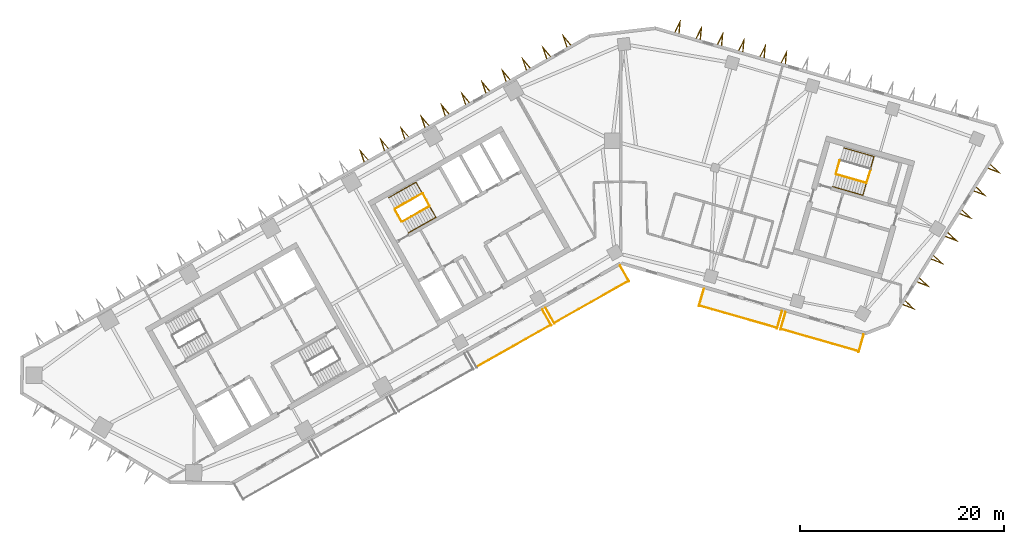
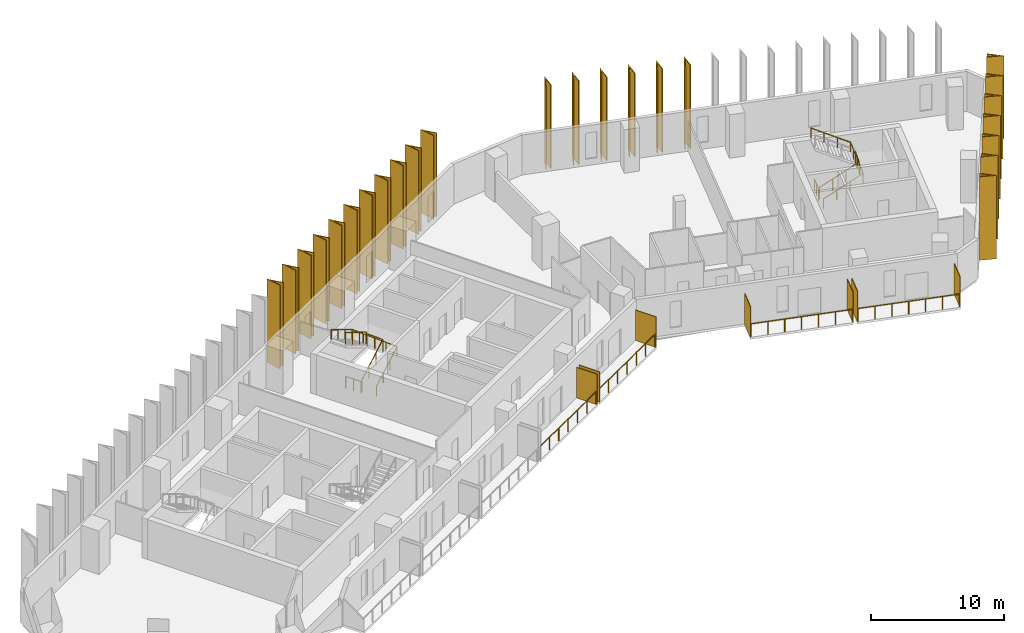
# One storey, part 9 of 10: 31 shading devices, 11 railings.
"""IFC4 building model written with IfcOpenShell, lengths in metres."""

from ifc_helpers import new_model, si_unit, direction, frame, origin, origin_2d, place, context, subcontext, project, spatial, polyline, rectangle, circle, outline, extrude, material, layer, layer_set, type_object, element, save


model = new_model("IFC4")

# Units and contexts
model_context = context("Model", 3, precision=1e-05, world=origin(), true_north=direction((0.0, 1.0)))
body_context = subcontext(model_context, "Body", "Model", "MODEL_VIEW")
ifc_project = project(units=[si_unit("LENGTHUNIT", "METRE"), si_unit("AREAUNIT", "SQUARE_METRE"), si_unit("VOLUMEUNIT", "CUBIC_METRE"), si_unit("PLANEANGLEUNIT", "RADIAN"), si_unit("MASSUNIT", "GRAM", prefix="KILO")], contexts=[model_context])

# Site, building, storey
site_placement = place(None, origin())
site = spatial("IfcSite", under=ifc_project, at=site_placement, CompositionType="ELEMENT")
building_placement = place(site_placement, origin())
building = spatial("IfcBuilding", under=site, at=building_placement, Name="Binnacle Exchange Tower", CompositionType="ELEMENT")
storey_placement = place(building_placement, frame((0.0, 0.0, 162.89990234375)))
storey = spatial("IfcBuildingStorey", under=building, at=storey_placement, Name="L34", CompositionType="ELEMENT", Elevation=162.89990234375)

# Railings
ifc_material_1 = material(Name="Bronze anodised aluminium frame", Category="aluminium")
railing_type_1 = type_object("IfcRailingType", Name="GUARD 1200", PredefinedType="GUARDRAIL", material=ifc_material_1)
railing_1_placement = place(storey_placement, frame((-14.135498046875, 37.85400390625, 0.0)))
element("IfcRailing", 1, at=railing_1_placement, inside=storey, type_object=railing_type_1, Name="Balcony guard G01-B03 L34", PredefinedType="GUARDRAIL", context=body_context, shape_type="SweptSolid", body=[
    extrude(circle(Radius=0.02392578125, at=origin_2d()), frame((0.0, 0.0, 1.17578125), z_axis=(0.870365821494, 0.492405662818, 0.0), x_axis=(-0.492405662818, 0.870365821494, 0.0)), (0.0, 0.0, 1.0), 8.334716796875),
    extrude(circle(Radius=0.02099609375, at=origin_2d()), origin(), (0.0, 0.0, 1.0), 1.15185546875),
    extrude(circle(Radius=0.02099609375, at=origin_2d()), frame((1.208984375, 0.68408203125, 0.0)), (0.0, 0.0, 1.0), 1.15185546875),
    extrude(circle(Radius=0.02099609375, at=origin_2d()), frame((2.41796875, 1.367919921875, 0.0)), (0.0, 0.0, 1.0), 1.15185546875),
    extrude(circle(Radius=0.02099609375, at=origin_2d()), frame((3.626953125, 2.052001953125, 0.0)), (0.0, 0.0, 1.0), 1.15185546875),
    extrude(circle(Radius=0.02099609375, at=origin_2d()), frame((4.836181640625, 2.736083984375, 0.0)), (0.0, 0.0, 1.0), 1.15185546875),
    extrude(circle(Radius=0.02099609375, at=origin_2d()), frame((6.045166015625, 3.419921875, 0.0)), (0.0, 0.0, 1.0), 1.15185546875),
    extrude(circle(Radius=0.02099609375, at=origin_2d()), frame((7.254150390625, 4.10400390625, 0.0)), (0.0, 0.0, 1.0), 1.15185546875),
])
railing_2_placement = place(storey_placement, frame((-6.515869140625, 42.164794921875, 0.0)))
element("IfcRailing", 2, at=railing_2_placement, inside=storey, type_object=railing_type_1, Name="Balcony guard G01-B04 L34", PredefinedType="GUARDRAIL", context=body_context, shape_type="SweptSolid", body=[
    extrude(circle(Radius=0.02392578125, at=origin_2d()), frame((0.0, 0.0, 1.17578125), z_axis=(0.8703461643, 0.49244040684, 0.0), x_axis=(-0.49244040684, 0.8703461643, 0.0)), (0.0, 0.0, 1.0), 8.33447265625),
    extrude(circle(Radius=0.02099609375, at=origin_2d()), origin(), (0.0, 0.0, 1.0), 1.15185546875),
    extrude(circle(Radius=0.02099609375, at=origin_2d()), frame((1.208984375, 0.68408203125, 0.0)), (0.0, 0.0, 1.0), 1.15185546875),
    extrude(circle(Radius=0.02099609375, at=origin_2d()), frame((2.41796875, 1.3681640625, 0.0)), (0.0, 0.0, 1.0), 1.15185546875),
    extrude(circle(Radius=0.02099609375, at=origin_2d()), frame((3.626953125, 2.05224609375, 0.0)), (0.0, 0.0, 1.0), 1.15185546875),
    extrude(circle(Radius=0.02099609375, at=origin_2d()), frame((4.8359375, 2.736083984375, 0.0)), (0.0, 0.0, 1.0), 1.15185546875),
    extrude(circle(Radius=0.02099609375, at=origin_2d()), frame((6.044921875, 3.420166015625, 0.0)), (0.0, 0.0, 1.0), 1.15185546875),
    extrude(circle(Radius=0.02099609375, at=origin_2d()), frame((7.25390625, 4.104248046875, 0.0)), (0.0, 0.0, 1.0), 1.15185546875),
])
for number, where, name in (
    (3, (7.6845703125, 43.85107421875, 0.0), "Balcony guard G02-B01 L34"),
    (4, (15.6826171875, 41.5576171875, 0.0), "Balcony guard G02-B02 L34"),
):
    element("IfcRailing", number, at=place(storey_placement, frame(where)), inside=storey, type_object=railing_type_1, Name=name, PredefinedType="GUARDRAIL", context=body_context, shape_type="SweptSolid", body=[
        extrude(circle(Radius=0.02392578125, at=origin_2d()), frame((0.0, 0.0, 1.17578125), z_axis=(0.961265805968, -0.275623022035, 0.0), x_axis=(0.275623022035, 0.961265805968, 0.0)), (0.0, 0.0, 1.0), 7.900146484375),
        extrude(circle(Radius=0.02099609375, at=origin_2d()), origin(), (0.0, 0.0, 1.0), 1.15185546875),
        extrude(circle(Radius=0.02099609375, at=origin_2d()), frame((1.265625, -0.36279296875, 0.0)), (0.0, 0.0, 1.0), 1.15185546875),
        extrude(circle(Radius=0.02099609375, at=origin_2d()), frame((2.531494140625, -0.725830078125, 0.0)), (0.0, 0.0, 1.0), 1.15185546875),
        extrude(circle(Radius=0.02099609375, at=origin_2d()), frame((3.797119140625, -1.0888671875, 0.0)), (0.0, 0.0, 1.0), 1.15185546875),
        extrude(circle(Radius=0.02099609375, at=origin_2d()), frame((5.062744140625, -1.45166015625, 0.0)), (0.0, 0.0, 1.0), 1.15185546875),
        extrude(circle(Radius=0.02099609375, at=origin_2d()), frame((6.32861328125, -1.814453125, 0.0)), (0.0, 0.0, 1.0), 1.15185546875),
        extrude(circle(Radius=0.02099609375, at=origin_2d()), frame((7.59423828125, -2.177490234375, 0.0)), (0.0, 0.0, 1.0), 1.15185546875),
    ])

# Shading devices
ifc_material_2 = material(Name="Bronze aluminium louvre", Category="aluminium")
ifc_layer = layer(ifc_material_2, 0.06005859375)
ifc_layer_set = layer_set([ifc_layer], Name="PLANTED SCREEN 60x2800")
shading_device_type_1 = type_object("IfcShadingDeviceType", Name="PLANTED SCREEN 60x2800", PredefinedType="USERDEFINED", material=ifc_layer_set)
for number, where, z_axis, x_axis, name in (
    (5, (-7.259033203125, 42.6865234375, 0.0), (0.0, 0.0, 1.0), (0.87035569594, 0.492423560103, 0.0), "Planted screen G01-B03b L34"),
    (6, (-6.94580078125, 42.864013671875, 0.0), (0.0, 0.0, 1.0), (0.87035569594, 0.492423560103, 0.0), "Planted screen G01-B04a L34"),
    (7, (0.3603515625, 46.99755859375, 0.0), (0.0, 0.0, 1.0), (0.87035569594, 0.492423560103, 0.0), "Planted screen G01-B04b L34"),
    (8, (7.881591796875, 44.647705078125, 0.0), (0.0, 0.0, 1.0), (0.961261695938, -0.275637355817, 0.0), "Planted screen G02-B01a L34"),
    (9, (15.53369140625, 42.45361328125, 0.0), (0.0, 0.0, 1.0), (0.961261695938, -0.275637355817, 0.0), "Planted screen G02-B01b L34"),
    (10, (15.8798828125, 42.354248046875, 0.0), (0.0, 0.0, 1.0), (0.961261695938, -0.275637355817, 0.0), "Planted screen G02-B02a L34"),
    (11, (23.53173828125, 40.16015625, 0.0), (0.0, 0.0, 1.0), (0.961261695938, -0.275637355817, 0.0), "Planted screen G02-B02b L34"),
):
    element("IfcShadingDevice", number, at=place(storey_placement, frame(where, z_axis=z_axis, x_axis=x_axis)), inside=storey, type_object=shading_device_type_1, Name=name, ObjectType="SCREEN", PredefinedType="USERDEFINED", context=body_context, shape_type="SweptSolid", body=[
        extrude(rectangle(XDim=0.06005859375, YDim=1.800048828125, at=origin_2d()), origin(), (0.0, 0.0, 1.0), 2.800048828125),
    ])

# Railings
ifc_material_3 = material(Name="Steel guard rail", Category="steel")
railing_type_2 = type_object("IfcRailingType", Name="STAIR GUARD 1100", PredefinedType="GUARDRAIL", material=ifc_material_3)
railing_3_placement = place(storey_placement, frame((-21.423828125, 52.07275390625, 0.166748046875)))
element("IfcRailing", 12, at=railing_3_placement, inside=storey, type_object=railing_type_2, Name="L34 STC1 stair guard 1", PredefinedType="GUARDRAIL", context=body_context, shape_type="SweptSolid", body=[
    extrude(circle(Radius=0.02392578125, at=origin_2d()), frame((0.0, 0.0, 1.076171875), z_axis=(0.747900833971, 0.423129324283, 0.511474258861), x_axis=(-0.492412445098, 0.870361984414, 0.0)), (0.0, 0.0, 1.0), 3.584228515625),
    extrude(circle(Radius=0.02392578125, at=origin_2d()), frame((2.6806640625, 1.5166015625, 2.9091796875), z_axis=(-0.460963092712, 0.887419307406, 0.0), x_axis=(-0.887419307406, -0.460963092712, 0.0)), (0.0, 0.0, 1.0), 1.40087890625),
    extrude(circle(Radius=0.02099609375, at=origin_2d()), origin(), (0.0, 0.0, 1.0), 1.052001953125),
    extrude(circle(Radius=0.02099609375, at=origin_2d()), frame((0.8935546875, 0.505615234375, 0.611083984375)), (0.0, 0.0, 1.0), 1.052001953125),
    extrude(circle(Radius=0.02099609375, at=origin_2d()), frame((1.787109375, 1.010986328125, 1.22216796875)), (0.0, 0.0, 1.0), 1.052001953125),
    extrude(circle(Radius=0.02099609375, at=origin_2d()), frame((2.6806640625, 1.5166015625, 1.833251953125)), (0.0, 0.0, 1.0), 1.052001953125),
    extrude(circle(Radius=0.02099609375, at=origin_2d()), frame((2.35791015625, 2.13818359375, 1.833251953125)), (0.0, 0.0, 1.0), 1.052001953125),
    extrude(circle(Radius=0.02099609375, at=origin_2d()), frame((2.034912109375, 2.759765625, 1.833251953125)), (0.0, 0.0, 1.0), 1.052001953125),
])
railing_4_placement = place(storey_placement, frame((-19.45703125, 54.851318359375, 2.166748046875)))
element("IfcRailing", 13, at=railing_4_placement, inside=storey, type_object=railing_type_2, Name="L34 STC1 stair guard 2", PredefinedType="GUARDRAIL", context=body_context, shape_type="SweptSolid", body=[
    extrude(circle(Radius=0.02392578125, at=origin_2d()), frame((0.0, 0.0, 1.076171875), z_axis=(-0.747900833971, -0.423129324283, 0.511474258861), x_axis=(0.492412445098, -0.870361984414, 0.0)), (0.0, 0.0, 1.0), 3.584228515625),
    extrude(circle(Radius=0.02099609375, at=origin_2d()), origin(), (0.0, 0.0, 1.0), 1.052001953125),
    extrude(circle(Radius=0.02099609375, at=origin_2d()), frame((-0.8935546875, -0.505615234375, 0.611083984375)), (0.0, 0.0, 1.0), 1.052001953125),
    extrude(circle(Radius=0.02099609375, at=origin_2d()), frame((-1.787109375, -1.010986328125, 1.22216796875)), (0.0, 0.0, 1.0), 1.052001953125),
    extrude(circle(Radius=0.02099609375, at=origin_2d()), frame((-2.6806640625, -1.5166015625, 1.833251953125)), (0.0, 0.0, 1.0), 1.052001953125),
])
railing_5_placement = place(storey_placement, frame((-21.491943359375, 52.091552734375, 0.0)))
element("IfcRailing", 14, at=railing_5_placement, inside=storey, type_object=railing_type_2, Name="L34 STC1 stair guard 3", PredefinedType="GUARDRAIL", context=body_context, shape_type="SweptSolid", body=[
    extrude(circle(Radius=0.02392578125, at=origin_2d()), frame((0.0, 0.0, 1.076171875), z_axis=(-0.49241474071, 0.870360685654, 0.0), x_axis=(-0.870360685654, -0.49241474071, 0.0)), (0.0, 0.0, 1.0), 1.35009765625),
    extrude(circle(Radius=0.02099609375, at=origin_2d()), origin(), (0.0, 0.0, 1.0), 1.052001953125),
    extrude(circle(Radius=0.02099609375, at=origin_2d()), frame((-0.33251953125, 0.58740234375, 0.0)), (0.0, 0.0, 1.0), 1.052001953125),
    extrude(circle(Radius=0.02099609375, at=origin_2d()), frame((-0.664794921875, 1.175048828125, 0.0)), (0.0, 0.0, 1.0), 1.052001953125),
])
railing_6_placement = place(storey_placement, frame((21.086669921875, 56.71044921875, 0.166748046875)))
element("IfcRailing", 15, at=railing_6_placement, inside=storey, type_object=railing_type_2, Name="L34 STD1 stair guard 1", PredefinedType="GUARDRAIL", context=body_context, shape_type="SweptSolid", body=[
    extrude(circle(Radius=0.02392578125, at=origin_2d()), frame((0.0, 0.0, 1.076171875), z_axis=(0.826006950853, -0.236897186037, 0.511460888427), x_axis=(0.27568413623, 0.961248280639, 0.0)), (0.0, 0.0, 1.0), 3.584228515625),
    extrude(circle(Radius=0.02392578125, at=origin_2d()), frame((2.960693359375, -0.84912109375, 2.9091796875), z_axis=(0.309684985722, 0.950839213337, 0.0), x_axis=(-0.950839213337, 0.309684985722, 0.0)), (0.0, 0.0, 1.0), 1.40087890625),
    extrude(circle(Radius=0.02099609375, at=origin_2d()), origin(), (0.0, 0.0, 1.0), 1.052001953125),
    extrude(circle(Radius=0.02099609375, at=origin_2d()), frame((0.98681640625, -0.282958984375, 0.611083984375)), (0.0, 0.0, 1.0), 1.052001953125),
    extrude(circle(Radius=0.02099609375, at=origin_2d()), frame((1.973876953125, -0.566162109375, 1.22216796875)), (0.0, 0.0, 1.0), 1.052001953125),
    extrude(circle(Radius=0.02099609375, at=origin_2d()), frame((2.960693359375, -0.84912109375, 1.833251953125)), (0.0, 0.0, 1.0), 1.052001953125),
    extrude(circle(Radius=0.02099609375, at=origin_2d()), frame((3.177734375, -0.18310546875, 1.833251953125)), (0.0, 0.0, 1.0), 1.052001953125),
    extrude(circle(Radius=0.02099609375, at=origin_2d()), frame((3.39453125, 0.48291015625, 1.833251953125)), (0.0, 0.0, 1.0), 1.052001953125),
])
railing_7_placement = place(storey_placement, frame((21.05224609375, 56.772216796875, 0.0)))
element("IfcRailing", 16, at=railing_7_placement, inside=storey, type_object=railing_type_2, Name="L34 STD1 stair guard 3", PredefinedType="GUARDRAIL", context=body_context, shape_type="SweptSolid", body=[
    extrude(circle(Radius=0.02392578125, at=origin_2d()), frame((0.0, 0.0, 1.076171875), z_axis=(0.275795817769, 0.961216243569, 0.0), x_axis=(-0.961216243569, 0.275795817769, 0.0)), (0.0, 0.0, 1.0), 1.349853515625),
    extrude(circle(Radius=0.02099609375, at=origin_2d()), origin(), (0.0, 0.0, 1.0), 1.052001953125),
    extrude(circle(Radius=0.02099609375, at=origin_2d()), frame((0.18603515625, 0.64892578125, 0.0)), (0.0, 0.0, 1.0), 1.052001953125),
    extrude(circle(Radius=0.02099609375, at=origin_2d()), frame((0.372314453125, 1.297607421875, 0.0)), (0.0, 0.0, 1.0), 1.052001953125),
])
ifc_material_4 = material(Name="Steel handrail", Category="steel")
railing_type_3 = type_object("IfcRailingType", Name="STAIR HANDRAIL 900", PredefinedType="HANDRAIL", material=ifc_material_4)
railing_8_placement = place(storey_placement, frame((-20.808349609375, 50.984619140625, 0.166748046875)))
element("IfcRailing", 17, at=railing_8_placement, inside=storey, type_object=railing_type_3, Name="L34 STC1 stair handrail 1", PredefinedType="HANDRAIL", context=body_context, shape_type="SweptSolid", body=[
    extrude(circle(Radius=0.02392578125, at=origin_2d()), frame((0.0, 0.0, 0.8759765625), z_axis=(0.747909291085, 0.423163685048, 0.51143346387), x_axis=(-0.49243851748, 0.870347233294, 0.0)), (0.0, 0.0, 1.0), 3.58447265625),
    extrude(circle(Radius=0.02392578125, at=origin_2d()), frame((2.680908203125, 1.516845703125, 2.708984375), z_axis=(-0.492001882252, 0.86957179666, 0.042178647619), x_axis=(-0.87034633103, -0.492440112159, 0.0)), (0.0, 0.0, 1.0), 3.953369140625),
    extrude(circle(Radius=0.02392578125, at=origin_2d()), frame((0.73583984375, 4.95458984375, 2.8759765625), z_axis=(-0.747930846092, -0.423107769413, 0.511448203561), x_axis=(0.492378474645, -0.870381202524, 0.0)), (0.0, 0.0, 1.0), 3.58447265625),
    extrude(circle(Radius=0.02099609375, at=origin_2d()), origin(), (0.0, 0.0, 1.0), 0.851806640625),
    extrude(circle(Radius=0.02099609375, at=origin_2d()), frame((0.8935546875, 0.505615234375, 0.611083984375)), (0.0, 0.0, 1.0), 0.851806640625),
    extrude(circle(Radius=0.02099609375, at=origin_2d()), frame((1.787353515625, 1.01123046875, 1.22216796875)), (0.0, 0.0, 1.0), 0.851806640625),
    extrude(circle(Radius=0.02099609375, at=origin_2d()), frame((2.680908203125, 1.516845703125, 1.833251953125)), (0.0, 0.0, 1.0), 0.851806640625),
    extrude(circle(Radius=0.02099609375, at=origin_2d()), frame((2.194580078125, 2.376220703125, 1.875)), (0.0, 0.0, 1.0), 0.851806640625),
    extrude(circle(Radius=0.02099609375, at=origin_2d()), frame((1.70849609375, 3.23583984375, 1.91650390625)), (0.0, 0.0, 1.0), 0.851806640625),
    extrude(circle(Radius=0.02099609375, at=origin_2d()), frame((1.22216796875, 4.09521484375, 1.958251953125)), (0.0, 0.0, 1.0), 0.851806640625),
    extrude(circle(Radius=0.02099609375, at=origin_2d()), frame((0.73583984375, 4.95458984375, 2.0)), (0.0, 0.0, 1.0), 0.851806640625),
    extrude(circle(Radius=0.02099609375, at=origin_2d()), frame((-0.15771484375, 4.448974609375, 2.611083984375)), (0.0, 0.0, 1.0), 0.851806640625),
    extrude(circle(Radius=0.02099609375, at=origin_2d()), frame((-1.051513671875, 3.943603515625, 3.22216796875)), (0.0, 0.0, 1.0), 0.851806640625),
    extrude(circle(Radius=0.02099609375, at=origin_2d()), frame((-1.945068359375, 3.43798828125, 3.833251953125)), (0.0, 0.0, 1.0), 0.851806640625),
])
railing_9_placement = place(storey_placement, frame((20.7421875, 55.5087890625, 0.166748046875)))
element("IfcRailing", 18, at=railing_9_placement, inside=storey, type_object=railing_type_3, Name="L34 STD1 stair handrail 1", PredefinedType="HANDRAIL", context=body_context, shape_type="SweptSolid", body=[
    extrude(circle(Radius=0.02392578125, at=origin_2d()), frame((0.0, 0.0, 0.8759765625), z_axis=(0.826020277534, -0.236832893954, 0.511469140266), x_axis=(0.275610892984, 0.961269283639, 0.0)), (0.0, 0.0, 1.0), 3.584228515625),
    extrude(circle(Radius=0.02392578125, at=origin_2d()), frame((2.960693359375, -0.848876953125, 2.708984375), z_axis=(0.275365570671, 0.960413849534, 0.042178668932), x_axis=(-0.961269298493, 0.275610841177, 0.0)), (0.0, 0.0, 1.0), 3.953369140625),
    extrude(circle(Radius=0.02392578125, at=origin_2d()), frame((4.04931640625, 2.947998046875, 2.8759765625), z_axis=(-0.826020277534, 0.236832893954, 0.511469140266), x_axis=(-0.275610892984, -0.961269283639, 0.0)), (0.0, 0.0, 1.0), 3.584228515625),
    extrude(circle(Radius=0.02099609375, at=origin_2d()), origin(), (0.0, 0.0, 1.0), 0.851806640625),
    extrude(circle(Radius=0.02099609375, at=origin_2d()), frame((0.98681640625, -0.282958984375, 0.611083984375)), (0.0, 0.0, 1.0), 0.851806640625),
    extrude(circle(Radius=0.02099609375, at=origin_2d()), frame((1.973876953125, -0.56591796875, 1.22216796875)), (0.0, 0.0, 1.0), 0.851806640625),
    extrude(circle(Radius=0.02099609375, at=origin_2d()), frame((2.960693359375, -0.848876953125, 1.833251953125)), (0.0, 0.0, 1.0), 0.851806640625),
    extrude(circle(Radius=0.02099609375, at=origin_2d()), frame((3.23291015625, 0.100341796875, 1.875)), (0.0, 0.0, 1.0), 0.851806640625),
    extrude(circle(Radius=0.02099609375, at=origin_2d()), frame((3.5048828125, 1.049560546875, 1.91650390625)), (0.0, 0.0, 1.0), 0.851806640625),
    extrude(circle(Radius=0.02099609375, at=origin_2d()), frame((3.777099609375, 1.998779296875, 1.958251953125)), (0.0, 0.0, 1.0), 0.851806640625),
    extrude(circle(Radius=0.02099609375, at=origin_2d()), frame((4.04931640625, 2.947998046875, 2.0)), (0.0, 0.0, 1.0), 0.851806640625),
    extrude(circle(Radius=0.02099609375, at=origin_2d()), frame((3.0625, 3.23095703125, 2.611083984375)), (0.0, 0.0, 1.0), 0.851806640625),
    extrude(circle(Radius=0.02099609375, at=origin_2d()), frame((2.075439453125, 3.513916015625, 3.22216796875)), (0.0, 0.0, 1.0), 0.851806640625),
    extrude(circle(Radius=0.02099609375, at=origin_2d()), frame((1.088623046875, 3.796875, 3.833251953125)), (0.0, 0.0, 1.0), 0.851806640625),
])

# Shading devices
ifc_material_5 = material(Name="Bronze aluminium cladding", Category="aluminium")
shading_device_type_2 = type_object("IfcShadingDeviceType", Name="V FIN 1300 DEEP x 7680 HIGH", PredefinedType="USERDEFINED", material=ifc_material_5)
shading_device_1_placement = place(storey_placement, origin())
element("IfcShadingDevice", 19, at=shading_device_1_placement, inside=storey, type_object=shading_device_type_2, Name="V fin FN-G04-01 L34", ObjectType="FIN", PredefinedType="USERDEFINED", context=body_context, shape_type="SweptSolid", body=[
    extrude(outline(polyline([(27.61669921875, 43.9130859375), (28.851806640625, 43.43603515625), (27.881591796875, 44.3369140625), (27.83837890625, 44.267822265625), (28.492431640625, 43.66064453125), (27.659912109375, 43.982177734375), (27.61669921875, 43.9130859375)])), origin(), (0.0, 0.0, 1.0), 7.68017578125),
])
shading_device_2_placement = place(storey_placement, origin())
element("IfcShadingDevice", 20, at=shading_device_2_placement, inside=storey, type_object=shading_device_type_2, Name="V fin FN-G04-02 L34", ObjectType="FIN", PredefinedType="USERDEFINED", context=body_context, shape_type="SweptSolid", body=[
    extrude(outline(polyline([(29.0078125, 46.13916015625), (30.242919921875, 45.662353515625), (29.272705078125, 46.563232421875), (29.2294921875, 46.494140625), (29.883544921875, 45.88671875), (29.051025390625, 46.208251953125), (29.0078125, 46.13916015625)])), origin(), (0.0, 0.0, 1.0), 7.68017578125),
])
shading_device_3_placement = place(storey_placement, origin())
element("IfcShadingDevice", 21, at=shading_device_3_placement, inside=storey, type_object=shading_device_type_2, Name="V fin FN-G04-03 L34", ObjectType="FIN", PredefinedType="USERDEFINED", context=body_context, shape_type="SweptSolid", body=[
    extrude(outline(polyline([(30.398681640625, 48.365234375), (31.6337890625, 47.888427734375), (30.663818359375, 48.789306640625), (30.62060546875, 48.72021484375), (31.2744140625, 48.11279296875), (30.44189453125, 48.434326171875), (30.398681640625, 48.365234375)])), origin(), (0.0, 0.0, 1.0), 7.68017578125),
])
shading_device_4_placement = place(storey_placement, origin())
element("IfcShadingDevice", 22, at=shading_device_4_placement, inside=storey, type_object=shading_device_type_2, Name="V fin FN-G04-04 L34", ObjectType="FIN", PredefinedType="USERDEFINED", context=body_context, shape_type="SweptSolid", body=[
    extrude(outline(polyline([(31.789794921875, 50.59130859375), (33.02490234375, 50.114501953125), (32.054931640625, 51.015380859375), (32.01171875, 50.9462890625), (32.66552734375, 50.339111328125), (31.8330078125, 50.660400390625), (31.789794921875, 50.59130859375)])), origin(), (0.0, 0.0, 1.0), 7.68017578125),
])
shading_device_5_placement = place(storey_placement, origin())
element("IfcShadingDevice", 23, at=shading_device_5_placement, inside=storey, type_object=shading_device_type_2, Name="V fin FN-G04-05 L34", ObjectType="FIN", PredefinedType="USERDEFINED", context=body_context, shape_type="SweptSolid", body=[
    extrude(outline(polyline([(33.180908203125, 52.8173828125), (34.416015625, 52.340576171875), (33.44580078125, 53.241455078125), (33.402587890625, 53.17236328125), (34.056640625, 52.565185546875), (33.22412109375, 52.88671875), (33.180908203125, 52.8173828125)])), origin(), (0.0, 0.0, 1.0), 7.68017578125),
])
shading_device_6_placement = place(storey_placement, origin())
element("IfcShadingDevice", 24, at=shading_device_6_placement, inside=storey, type_object=shading_device_type_2, Name="V fin FN-G04-06 L34", ObjectType="FIN", PredefinedType="USERDEFINED", context=body_context, shape_type="SweptSolid", body=[
    extrude(outline(polyline([(34.572021484375, 55.043701171875), (35.806884765625, 54.56689453125), (34.8369140625, 55.4677734375), (34.793701171875, 55.398681640625), (35.447509765625, 54.791259765625), (34.614990234375, 55.11279296875), (34.572021484375, 55.043701171875)])), origin(), (0.0, 0.0, 1.0), 7.68017578125),
])
shading_device_7_placement = place(storey_placement, origin())
element("IfcShadingDevice", 25, at=shading_device_7_placement, inside=storey, type_object=shading_device_type_2, Name="V fin FN-G04-07 L34", ObjectType="FIN", PredefinedType="USERDEFINED", context=body_context, shape_type="SweptSolid", body=[
    extrude(outline(polyline([(35.962890625, 57.269775390625), (37.197998046875, 56.79296875), (36.22802734375, 57.69384765625), (36.184814453125, 57.624755859375), (36.838623046875, 57.017333984375), (36.006103515625, 57.3388671875), (35.962890625, 57.269775390625)])), origin(), (0.0, 0.0, 1.0), 7.68017578125),
])
shading_device_8_placement = place(storey_placement, origin())
element("IfcShadingDevice", 26, at=shading_device_8_placement, inside=storey, type_object=shading_device_type_2, Name="V fin FN-G06-10 L34", ObjectType="FIN", PredefinedType="USERDEFINED", context=body_context, shape_type="SweptSolid", body=[
    extrude(outline(polyline([(16.151611328125, 67.524658203125), (16.26953125, 68.84326171875), (15.6708984375, 67.66259765625), (15.749267578125, 67.64013671875), (16.15283203125, 68.43603515625), (16.0732421875, 67.547119140625), (16.151611328125, 67.524658203125)])), origin(), (0.0, 0.0, 1.0), 7.68017578125),
])
shading_device_9_placement = place(storey_placement, origin())
element("IfcShadingDevice", 27, at=shading_device_9_placement, inside=storey, type_object=shading_device_type_2, Name="V fin FN-G06-11 L34", ObjectType="FIN", PredefinedType="USERDEFINED", context=body_context, shape_type="SweptSolid", body=[
    extrude(outline(polyline([(14.0673828125, 68.122314453125), (14.185302734375, 69.44091796875), (13.586669921875, 68.260009765625), (13.6650390625, 68.23779296875), (14.068603515625, 69.03369140625), (13.989013671875, 68.144775390625), (14.0673828125, 68.122314453125)])), origin(), (0.0, 0.0, 1.0), 7.68017578125),
])
shading_device_10_placement = place(storey_placement, origin())
element("IfcShadingDevice", 28, at=shading_device_10_placement, inside=storey, type_object=shading_device_type_2, Name="V fin FN-G06-12 L34", ObjectType="FIN", PredefinedType="USERDEFINED", context=body_context, shape_type="SweptSolid", body=[
    extrude(outline(polyline([(11.98291015625, 68.719970703125), (12.10107421875, 70.03857421875), (11.50244140625, 68.85791015625), (11.580810546875, 68.83544921875), (11.984375, 69.63134765625), (11.90478515625, 68.742431640625), (11.98291015625, 68.719970703125)])), origin(), (0.0, 0.0, 1.0), 7.68017578125),
])
shading_device_11_placement = place(storey_placement, origin())
element("IfcShadingDevice", 29, at=shading_device_11_placement, inside=storey, type_object=shading_device_type_2, Name="V fin FN-G06-13 L34", ObjectType="FIN", PredefinedType="USERDEFINED", context=body_context, shape_type="SweptSolid", body=[
    extrude(outline(polyline([(9.898681640625, 69.317626953125), (10.016845703125, 70.635986328125), (9.418212890625, 69.455322265625), (9.49658203125, 69.43310546875), (9.900146484375, 70.22900390625), (9.820556640625, 69.340087890625), (9.898681640625, 69.317626953125)])), origin(), (0.0, 0.0, 1.0), 7.68017578125),
])
shading_device_12_placement = place(storey_placement, origin())
element("IfcShadingDevice", 30, at=shading_device_12_placement, inside=storey, type_object=shading_device_type_2, Name="V fin FN-G06-14 L34", ObjectType="FIN", PredefinedType="USERDEFINED", context=body_context, shape_type="SweptSolid", body=[
    extrude(outline(polyline([(7.814453125, 69.915283203125), (7.9326171875, 71.233642578125), (7.333984375, 70.052978515625), (7.412109375, 70.030517578125), (7.81591796875, 70.826416015625), (7.736083984375, 69.9375), (7.814453125, 69.915283203125)])), origin(), (0.0, 0.0, 1.0), 7.68017578125),
])
shading_device_13_placement = place(storey_placement, origin())
element("IfcShadingDevice", 31, at=shading_device_13_placement, inside=storey, type_object=shading_device_type_2, Name="V fin FN-G06-15 L34", ObjectType="FIN", PredefinedType="USERDEFINED", context=body_context, shape_type="SweptSolid", body=[
    extrude(outline(polyline([(5.730224609375, 70.512939453125), (5.84814453125, 71.831298828125), (5.24951171875, 70.650634765625), (5.327880859375, 70.62841796875), (5.7314453125, 71.42431640625), (5.65185546875, 70.535400390625), (5.730224609375, 70.512939453125)])), origin(), (0.0, 0.0, 1.0), 7.68017578125),
])
shading_device_14_placement = place(storey_placement, origin())
element("IfcShadingDevice", 32, at=shading_device_14_placement, inside=storey, type_object=shading_device_type_2, Name="V fin FN-G08-01 L34", ObjectType="FIN", PredefinedType="USERDEFINED", context=body_context, shape_type="SweptSolid", body=[
    extrude(outline(polyline([(-4.88916015625, 69.40625), (-5.746826171875, 70.41455078125), (-5.32421875, 69.159912109375), (-5.25341796875, 69.2001953125), (-5.5380859375, 70.0458984375), (-4.9599609375, 69.3662109375), (-4.88916015625, 69.40625)])), origin(), (0.0, 0.0, 1.0), 7.68017578125),
])
shading_device_15_placement = place(storey_placement, origin())
element("IfcShadingDevice", 33, at=shading_device_15_placement, inside=storey, type_object=shading_device_type_2, Name="V fin FN-G08-02 L34", ObjectType="FIN", PredefinedType="USERDEFINED", context=body_context, shape_type="SweptSolid", body=[
    extrude(outline(polyline([(-6.87548828125, 68.2822265625), (-7.7333984375, 69.290771484375), (-7.310791015625, 68.0361328125), (-7.239990234375, 68.076171875), (-7.524658203125, 68.922119140625), (-6.946533203125, 68.2421875), (-6.87548828125, 68.2822265625)])), origin(), (0.0, 0.0, 1.0), 7.68017578125),
])
shading_device_16_placement = place(storey_placement, origin())
element("IfcShadingDevice", 34, at=shading_device_16_placement, inside=storey, type_object=shading_device_type_2, Name="V fin FN-G08-03 L34", ObjectType="FIN", PredefinedType="USERDEFINED", context=body_context, shape_type="SweptSolid", body=[
    extrude(outline(polyline([(-8.862060546875, 67.158203125), (-9.719970703125, 68.166748046875), (-9.29736328125, 66.912109375), (-9.226318359375, 66.9521484375), (-9.51123046875, 67.798095703125), (-8.93310546875, 67.1181640625), (-8.862060546875, 67.158203125)])), origin(), (0.0, 0.0, 1.0), 7.68017578125),
])
shading_device_17_placement = place(storey_placement, origin())
element("IfcShadingDevice", 35, at=shading_device_17_placement, inside=storey, type_object=shading_device_type_2, Name="V fin FN-G08-04 L34", ObjectType="FIN", PredefinedType="USERDEFINED", context=body_context, shape_type="SweptSolid", body=[
    extrude(outline(polyline([(-10.8486328125, 66.034423828125), (-11.70654296875, 67.042724609375), (-11.283935546875, 65.7880859375), (-11.212890625, 65.828369140625), (-11.497802734375, 66.674072265625), (-10.919677734375, 65.994384765625), (-10.8486328125, 66.034423828125)])), origin(), (0.0, 0.0, 1.0), 7.68017578125),
])
shading_device_18_placement = place(storey_placement, origin())
element("IfcShadingDevice", 36, at=shading_device_18_placement, inside=storey, type_object=shading_device_type_2, Name="V fin FN-G08-05 L34", ObjectType="FIN", PredefinedType="USERDEFINED", context=body_context, shape_type="SweptSolid", body=[
    extrude(outline(polyline([(-12.835205078125, 64.910400390625), (-13.693115234375, 65.9189453125), (-13.2705078125, 64.664306640625), (-13.199462890625, 64.704345703125), (-13.484375, 65.55029296875), (-12.906005859375, 64.870361328125), (-12.835205078125, 64.910400390625)])), origin(), (0.0, 0.0, 1.0), 7.68017578125),
])
shading_device_19_placement = place(storey_placement, origin())
element("IfcShadingDevice", 37, at=shading_device_19_placement, inside=storey, type_object=shading_device_type_2, Name="V fin FN-G08-06 L34", ObjectType="FIN", PredefinedType="USERDEFINED", context=body_context, shape_type="SweptSolid", body=[
    extrude(outline(polyline([(-14.82177734375, 63.78662109375), (-15.6796875, 64.794921875), (-15.257080078125, 63.540283203125), (-15.18603515625, 63.580322265625), (-15.470947265625, 64.42626953125), (-14.892578125, 63.746337890625), (-14.82177734375, 63.78662109375)])), origin(), (0.0, 0.0, 1.0), 7.68017578125),
])
shading_device_20_placement = place(storey_placement, origin())
element("IfcShadingDevice", 38, at=shading_device_20_placement, inside=storey, type_object=shading_device_type_2, Name="V fin FN-G08-07 L34", ObjectType="FIN", PredefinedType="USERDEFINED", context=body_context, shape_type="SweptSolid", body=[
    extrude(outline(polyline([(-16.808349609375, 62.66259765625), (-17.666015625, 63.6708984375), (-17.243408203125, 62.41650390625), (-17.172607421875, 62.45654296875), (-17.45751953125, 63.30224609375), (-16.879150390625, 62.62255859375), (-16.808349609375, 62.66259765625)])), origin(), (0.0, 0.0, 1.0), 7.68017578125),
])
shading_device_21_placement = place(storey_placement, origin())
element("IfcShadingDevice", 39, at=shading_device_21_placement, inside=storey, type_object=shading_device_type_2, Name="V fin FN-G08-08 L34", ObjectType="FIN", PredefinedType="USERDEFINED", context=body_context, shape_type="SweptSolid", body=[
    extrude(outline(polyline([(-18.794921875, 61.53857421875), (-19.652587890625, 62.547119140625), (-19.22998046875, 61.29248046875), (-19.1591796875, 61.33251953125), (-19.444091796875, 62.17822265625), (-18.86572265625, 61.49853515625), (-18.794921875, 61.53857421875)])), origin(), (0.0, 0.0, 1.0), 7.68017578125),
])
shading_device_22_placement = place(storey_placement, origin())
element("IfcShadingDevice", 40, at=shading_device_22_placement, inside=storey, type_object=shading_device_type_2, Name="V fin FN-G08-09 L34", ObjectType="FIN", PredefinedType="USERDEFINED", context=body_context, shape_type="SweptSolid", body=[
    extrude(outline(polyline([(-20.781494140625, 60.414794921875), (-21.639404296875, 61.423095703125), (-21.216796875, 60.16845703125), (-21.145751953125, 60.20849609375), (-21.4306640625, 61.054443359375), (-20.852294921875, 60.37451171875), (-20.781494140625, 60.414794921875)])), origin(), (0.0, 0.0, 1.0), 7.68017578125),
])
shading_device_23_placement = place(storey_placement, origin())
element("IfcShadingDevice", 41, at=shading_device_23_placement, inside=storey, type_object=shading_device_type_2, Name="V fin FN-G08-10 L34", ObjectType="FIN", PredefinedType="USERDEFINED", context=body_context, shape_type="SweptSolid", body=[
    extrude(outline(polyline([(-22.76806640625, 59.290771484375), (-23.625732421875, 60.29931640625), (-23.203125, 59.044677734375), (-23.13232421875, 59.084716796875), (-23.4169921875, 59.930419921875), (-22.8388671875, 59.250732421875), (-22.76806640625, 59.290771484375)])), origin(), (0.0, 0.0, 1.0), 7.68017578125),
])
shading_device_24_placement = place(storey_placement, origin())
element("IfcShadingDevice", 42, at=shading_device_24_placement, inside=storey, type_object=shading_device_type_2, Name="V fin FN-G08-11 L34", ObjectType="FIN", PredefinedType="USERDEFINED", context=body_context, shape_type="SweptSolid", body=[
    extrude(outline(polyline([(-24.754638671875, 58.166748046875), (-25.6123046875, 59.17529296875), (-25.189697265625, 57.920654296875), (-25.118896484375, 57.960693359375), (-25.40380859375, 58.806396484375), (-24.825439453125, 58.126708984375), (-24.754638671875, 58.166748046875)])), origin(), (0.0, 0.0, 1.0), 7.68017578125),
])

save(model, "model.ifc")
